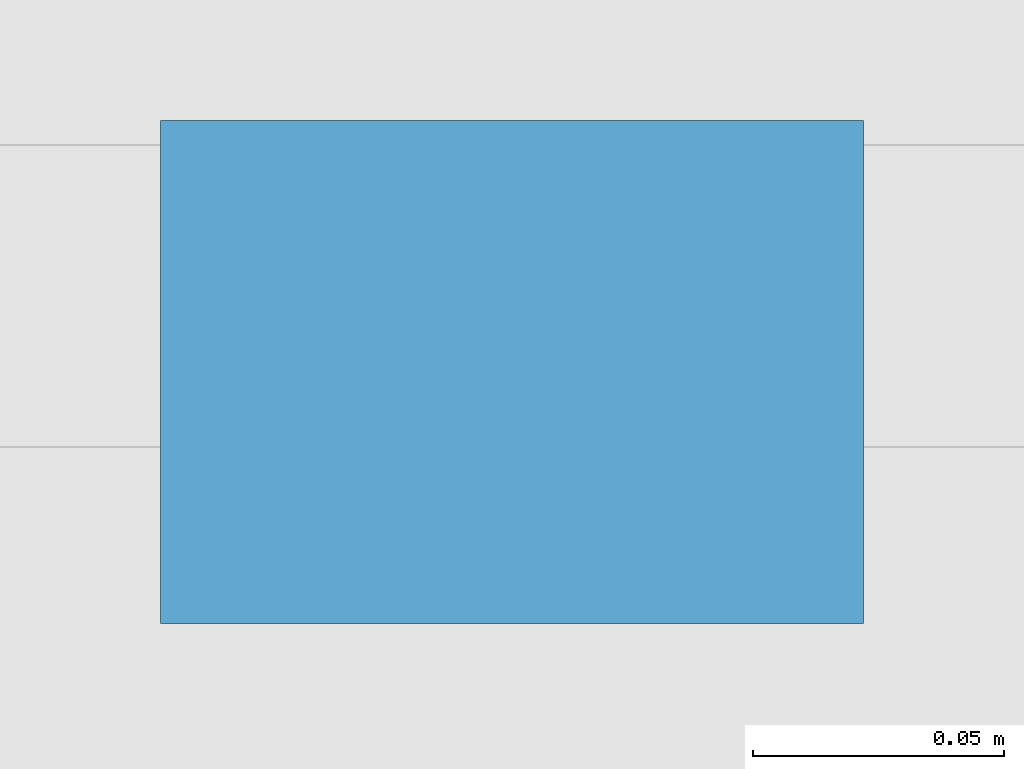
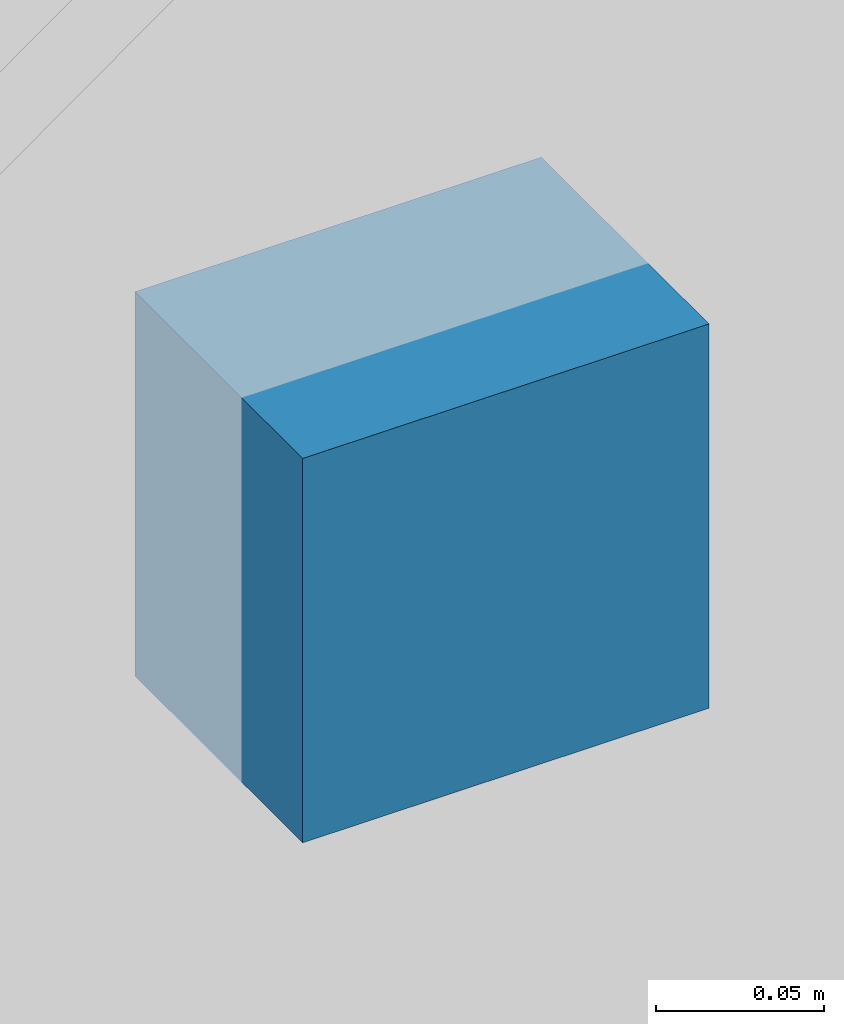
# One storey, part 80 of 94: 1 discrete accessory.
"""IFC4 building model written with IfcOpenShell, lengths in metres."""

from ifc_helpers import new_model, si_unit, direction, frame, origin, origin_2d, place, context, subcontext, project, spatial, rectangle, extrude, material, type_object, element, save


model = new_model("IFC4")

# Units and contexts
model_context = context("Model", 3, precision=1e-05, world=origin(), true_north=direction((0.0, 1.0)))
body_context = subcontext(model_context, "Body", "Model", "MODEL_VIEW")
ifc_project = project(units=[si_unit("LENGTHUNIT", "METRE"), si_unit("AREAUNIT", "SQUARE_METRE"), si_unit("VOLUMEUNIT", "CUBIC_METRE"), si_unit("PLANEANGLEUNIT", "RADIAN"), si_unit("MASSUNIT", "GRAM", prefix="KILO")], contexts=[model_context])

# Site, building, storey
site_placement = place(None, origin())
site = spatial("IfcSite", under=ifc_project, at=site_placement, CompositionType="ELEMENT")
building_placement = place(site_placement, origin())
building = spatial("IfcBuilding", under=site, at=building_placement, Name="Kalmorath City Hall", CompositionType="ELEMENT")
storey_placement = place(building_placement, frame((0.0, 0.0, 14.699951171875)))
storey = spatial("IfcBuildingStorey", under=building, at=storey_placement, Name="L03", CompositionType="ELEMENT", Elevation=14.699951171875)

# Discrete accessory
ifc_material = material(Name="Stainless steel Grade 316", Category="steel")
discrete_accessory_type = type_object("IfcDiscreteAccessoryType", Name="Stainless rainscreen support bracket", PredefinedType="BRACKET", material=ifc_material)
discrete_accessory_placement = place(storey_placement, frame((111.60009765625, 115.18994140625, 3.5302734375), z_axis=(0.0, 0.0, 1.0), x_axis=(1.0, 0.0, 0.0)))
element("IfcDiscreteAccessory", 1, at=discrete_accessory_placement, inside=storey, type_object=discrete_accessory_type, Name="L03 basalt anchor bracket #69", PredefinedType="BRACKET", context=body_context, shape_type="SweptSolid", body=[
    extrude(rectangle(XDim=0.139892578125, YDim=0.10009765625, at=origin_2d()), origin(), (0.0, 0.0, 1.0), 0.139892578125),
])

save(model, "model.ifc")
